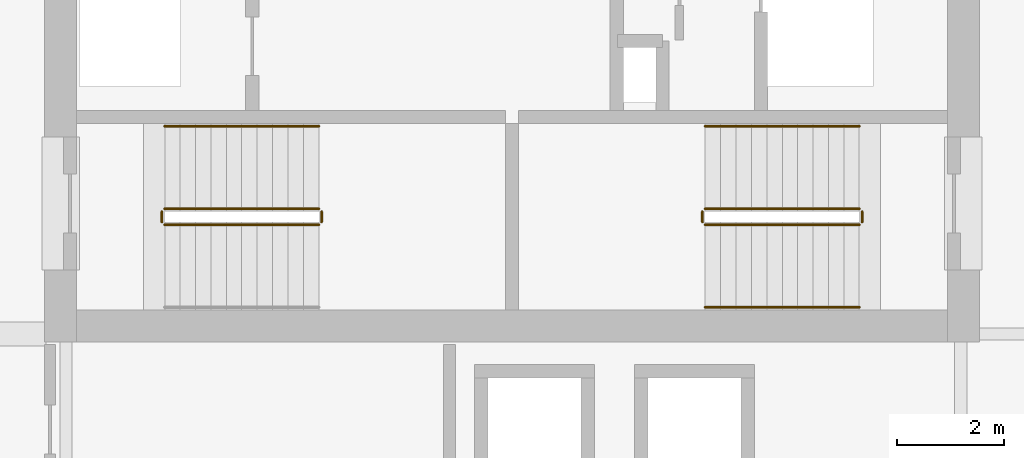
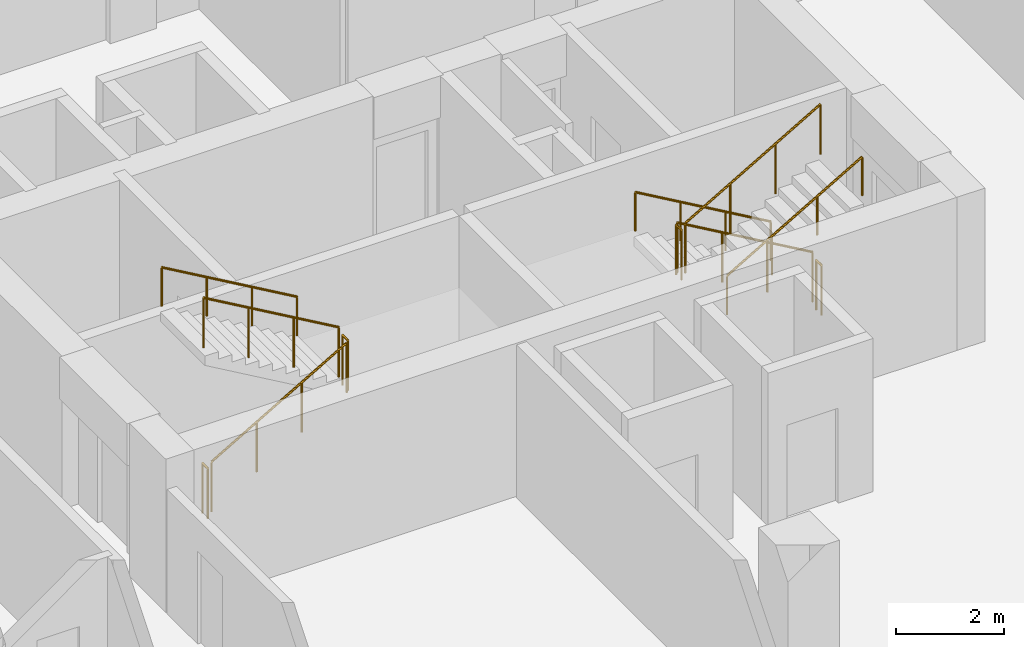
# One storey, part 12 of 14: 11 railings.
"""IFC4 building model written with IfcOpenShell, lengths in metres."""

from ifc_helpers import new_model, si_unit, direction, frame, origin, origin_2d, place, context, subcontext, project, spatial, circle, extrude, material, type_object, element, save


model = new_model("IFC4")

# Units and contexts
model_context = context("Model", 3, precision=1e-05, world=origin(), true_north=direction((0.0, 1.0)))
body_context = subcontext(model_context, "Body", "Model", "MODEL_VIEW")
ifc_project = project(units=[si_unit("LENGTHUNIT", "METRE"), si_unit("AREAUNIT", "SQUARE_METRE"), si_unit("VOLUMEUNIT", "CUBIC_METRE"), si_unit("PLANEANGLEUNIT", "RADIAN"), si_unit("MASSUNIT", "GRAM", prefix="KILO")], contexts=[model_context])

# Site, building, storey
site_placement = place(None, origin())
site = spatial("IfcSite", under=ifc_project, at=site_placement, CompositionType="ELEMENT")
building_placement = place(site_placement, origin())
building = spatial("IfcBuilding", under=site, at=building_placement, Name="Koriwani Terraces Tower", CompositionType="ELEMENT")
storey_placement = place(building_placement, frame((0.0, 0.0, 208.699951171875)))
storey = spatial("IfcBuildingStorey", under=building, at=storey_placement, Name="L51", CompositionType="ELEMENT", Elevation=208.699951171875)

# Railings
ifc_material = material(Name="Steel ASTM A572 Grade 50", Category="steel")
railing_type_1 = type_object("IfcRailingType", Name="GUARD_STAIR_WELL_1120", PredefinedType="GUARDRAIL", material=ifc_material)
railing_1_placement = place(storey_placement, frame((43.85009765625, 18.85009765625, 0.168212890625)))
element("IfcRailing", 1, at=railing_1_placement, inside=storey, type_object=railing_type_1, Name="L51 ST-E1 stair guard 1", PredefinedType="GUARDRAIL", context=body_context, shape_type="SweptSolid", body=[
    extrude(circle(Radius=0.02392578125, at=origin_2d()), frame((0.0, 0.0, 1.1259765625), z_axis=(0.865038774852, 0.0, 0.501705010941), x_axis=(0.0, 1.0, 0.0)), (0.0, 0.0, 1.0), 3.352294921875),
    extrude(circle(Radius=0.02099609375, at=origin_2d()), origin(), (0.0, 0.0, 1.0), 1.101806640625),
    extrude(circle(Radius=0.02099609375, at=origin_2d()), frame((0.966552734375, 0.0, 0.560546875)), (0.0, 0.0, 1.0), 1.101806640625),
    extrude(circle(Radius=0.02099609375, at=origin_2d()), frame((1.933349609375, 0.0, 1.121337890625)), (0.0, 0.0, 1.0), 1.101806640625),
    extrude(circle(Radius=0.02099609375, at=origin_2d()), frame((2.89990234375, 0.0, 1.681884765625)), (0.0, 0.0, 1.0), 1.101806640625),
])
railing_2_placement = place(storey_placement, frame((46.800048828125, 18.89990234375, 1.85009765625)))
element("IfcRailing", 2, at=railing_2_placement, inside=storey, type_object=railing_type_1, Name="L51 ST-E1 stair guard 2", PredefinedType="GUARDRAIL", context=body_context, shape_type="SweptSolid", body=[
    extrude(circle(Radius=0.02392578125, at=origin_2d()), frame((0.0, 0.0, 1.1259765625), z_axis=(0.0, 1.0, 0.0), x_axis=(-1.0, 0.0, 0.0)), (0.0, 0.0, 1.0), 0.2001953125),
    extrude(circle(Radius=0.02099609375, at=origin_2d()), origin(), (0.0, 0.0, 1.0), 1.101806640625),
    extrude(circle(Radius=0.02099609375, at=origin_2d()), frame((0.0, 0.2001953125, 0.0)), (0.0, 0.0, 1.0), 1.101806640625),
])
railing_3_placement = place(storey_placement, frame((46.75, 19.14990234375, 2.018310546875)))
element("IfcRailing", 3, at=railing_3_placement, inside=storey, type_object=railing_type_1, Name="L51 ST-E1 stair guard 3", PredefinedType="GUARDRAIL", context=body_context, shape_type="SweptSolid", body=[
    extrude(circle(Radius=0.02392578125, at=origin_2d()), frame((0.0, 0.0, 1.1259765625), z_axis=(-0.86507038078, 0.0, 0.501650512107), x_axis=(0.0, -1.0, 0.0)), (0.0, 0.0, 1.0), 3.352294921875),
    extrude(circle(Radius=0.02099609375, at=origin_2d()), origin(), (0.0, 0.0, 1.0), 1.101806640625),
    extrude(circle(Radius=0.02099609375, at=origin_2d()), frame((-0.966552734375, 0.0, 0.560546875)), (0.0, 0.0, 1.0), 1.101806640625),
    extrude(circle(Radius=0.02099609375, at=origin_2d()), frame((-1.933349609375, 0.0, 1.12109375)), (0.0, 0.0, 1.0), 1.101806640625),
    extrude(circle(Radius=0.02099609375, at=origin_2d()), frame((-2.89990234375, 0.0, 1.681640625)), (0.0, 0.0, 1.0), 1.101806640625),
])
railing_4_placement = place(storey_placement, frame((43.800048828125, 18.89990234375, 0.0)))
element("IfcRailing", 4, at=railing_4_placement, inside=storey, type_object=railing_type_1, Name="L51 ST-E1 stair guard 4", PredefinedType="GUARDRAIL", context=body_context, shape_type="SweptSolid", body=[
    extrude(circle(Radius=0.02392578125, at=origin_2d()), frame((0.0, 0.0, 1.1259765625), z_axis=(0.0, 1.0, 0.0), x_axis=(-1.0, 0.0, 0.0)), (0.0, 0.0, 1.0), 0.2001953125),
    extrude(circle(Radius=0.02099609375, at=origin_2d()), origin(), (0.0, 0.0, 1.0), 1.101806640625),
    extrude(circle(Radius=0.02099609375, at=origin_2d()), frame((0.0, 0.2001953125, 0.0)), (0.0, 0.0, 1.0), 1.101806640625),
])
railing_5_placement = place(storey_placement, frame((56.89990234375, 19.14990234375, 0.168212890625)))
element("IfcRailing", 5, at=railing_5_placement, inside=storey, type_object=railing_type_1, Name="L51 ST-E2 stair guard 1", PredefinedType="GUARDRAIL", context=body_context, shape_type="SweptSolid", body=[
    extrude(circle(Radius=0.02392578125, at=origin_2d()), frame((0.0, 0.0, 1.1259765625), z_axis=(-0.865038774852, 0.0, 0.501705010941), x_axis=(0.0, -1.0, 0.0)), (0.0, 0.0, 1.0), 3.352294921875),
    extrude(circle(Radius=0.02099609375, at=origin_2d()), origin(), (0.0, 0.0, 1.0), 1.101806640625),
    extrude(circle(Radius=0.02099609375, at=origin_2d()), frame((-0.966552734375, 0.0, 0.560546875)), (0.0, 0.0, 1.0), 1.101806640625),
    extrude(circle(Radius=0.02099609375, at=origin_2d()), frame((-1.933349609375, 0.0, 1.121337890625)), (0.0, 0.0, 1.0), 1.101806640625),
    extrude(circle(Radius=0.02099609375, at=origin_2d()), frame((-2.89990234375, 0.0, 1.681884765625)), (0.0, 0.0, 1.0), 1.101806640625),
])
railing_6_placement = place(storey_placement, frame((53.949951171875, 19.10009765625, 1.85009765625)))
element("IfcRailing", 6, at=railing_6_placement, inside=storey, type_object=railing_type_1, Name="L51 ST-E2 stair guard 2", PredefinedType="GUARDRAIL", context=body_context, shape_type="SweptSolid", body=[
    extrude(circle(Radius=0.02392578125, at=origin_2d()), frame((0.0, 0.0, 1.1259765625), z_axis=(0.0, -1.0, 0.0), x_axis=(1.0, 0.0, 0.0)), (0.0, 0.0, 1.0), 0.2001953125),
    extrude(circle(Radius=0.02099609375, at=origin_2d()), origin(), (0.0, 0.0, 1.0), 1.101806640625),
    extrude(circle(Radius=0.02099609375, at=origin_2d()), frame((0.0, -0.2001953125, 0.0)), (0.0, 0.0, 1.0), 1.101806640625),
])
railing_7_placement = place(storey_placement, frame((54.0, 18.85009765625, 2.018310546875)))
element("IfcRailing", 7, at=railing_7_placement, inside=storey, type_object=railing_type_1, Name="L51 ST-E2 stair guard 3", PredefinedType="GUARDRAIL", context=body_context, shape_type="SweptSolid", body=[
    extrude(circle(Radius=0.02392578125, at=origin_2d()), frame((0.0, 0.0, 1.1259765625), z_axis=(0.86507038078, 0.0, 0.501650512107), x_axis=(0.0, 1.0, 0.0)), (0.0, 0.0, 1.0), 3.352294921875),
    extrude(circle(Radius=0.02099609375, at=origin_2d()), origin(), (0.0, 0.0, 1.0), 1.101806640625),
    extrude(circle(Radius=0.02099609375, at=origin_2d()), frame((0.966552734375, 0.0, 0.560546875)), (0.0, 0.0, 1.0), 1.101806640625),
    extrude(circle(Radius=0.02099609375, at=origin_2d()), frame((1.933349609375, 0.0, 1.12109375)), (0.0, 0.0, 1.0), 1.101806640625),
    extrude(circle(Radius=0.02099609375, at=origin_2d()), frame((2.89990234375, 0.0, 1.681640625)), (0.0, 0.0, 1.0), 1.101806640625),
])
railing_8_placement = place(storey_placement, frame((56.949951171875, 19.10009765625, 0.0)))
element("IfcRailing", 8, at=railing_8_placement, inside=storey, type_object=railing_type_1, Name="L51 ST-E2 stair guard 4", PredefinedType="GUARDRAIL", context=body_context, shape_type="SweptSolid", body=[
    extrude(circle(Radius=0.02392578125, at=origin_2d()), frame((0.0, 0.0, 1.1259765625), z_axis=(0.0, -1.0, 0.0), x_axis=(1.0, 0.0, 0.0)), (0.0, 0.0, 1.0), 0.2001953125),
    extrude(circle(Radius=0.02099609375, at=origin_2d()), origin(), (0.0, 0.0, 1.0), 1.101806640625),
    extrude(circle(Radius=0.02099609375, at=origin_2d()), frame((0.0, -0.2001953125, 0.0)), (0.0, 0.0, 1.0), 1.101806640625),
])
railing_type_2 = type_object("IfcRailingType", Name="HANDRAIL_STAIR_920", PredefinedType="HANDRAIL", material=ifc_material)
railing_9_placement = place(storey_placement, frame((46.75, 20.699951171875, 2.018310546875)))
element("IfcRailing", 9, at=railing_9_placement, inside=storey, type_object=railing_type_2, Name="L51 ST-E1 stair handrail 2", PredefinedType="HANDRAIL", context=body_context, shape_type="SweptSolid", body=[
    extrude(circle(Radius=0.02392578125, at=origin_2d()), frame((0.0, 0.0, 0.8759765625), z_axis=(-0.86507038078, 0.0, 0.501650512107), x_axis=(0.0, -1.0, 0.0)), (0.0, 0.0, 1.0), 3.352294921875),
    extrude(circle(Radius=0.02099609375, at=origin_2d()), origin(), (0.0, 0.0, 1.0), 0.851806640625),
    extrude(circle(Radius=0.02099609375, at=origin_2d()), frame((-0.966552734375, 0.0, 0.560546875)), (0.0, 0.0, 1.0), 0.851806640625),
    extrude(circle(Radius=0.02099609375, at=origin_2d()), frame((-1.933349609375, 0.0, 1.12109375)), (0.0, 0.0, 1.0), 0.851806640625),
    extrude(circle(Radius=0.02099609375, at=origin_2d()), frame((-2.89990234375, 0.0, 1.681640625)), (0.0, 0.0, 1.0), 0.851806640625),
])
railing_10_placement = place(storey_placement, frame((56.89990234375, 20.699951171875, 0.168212890625)))
element("IfcRailing", 10, at=railing_10_placement, inside=storey, type_object=railing_type_2, Name="L51 ST-E2 stair handrail 1", PredefinedType="HANDRAIL", context=body_context, shape_type="SweptSolid", body=[
    extrude(circle(Radius=0.02392578125, at=origin_2d()), frame((0.0, 0.0, 0.8759765625), z_axis=(-0.865038774852, 0.0, 0.501705010941), x_axis=(0.0, -1.0, 0.0)), (0.0, 0.0, 1.0), 3.352294921875),
    extrude(circle(Radius=0.02099609375, at=origin_2d()), origin(), (0.0, 0.0, 1.0), 0.851806640625),
    extrude(circle(Radius=0.02099609375, at=origin_2d()), frame((-0.966552734375, 0.0, 0.560546875)), (0.0, 0.0, 1.0), 0.851806640625),
    extrude(circle(Radius=0.02099609375, at=origin_2d()), frame((-1.933349609375, 0.0, 1.121337890625)), (0.0, 0.0, 1.0), 0.851806640625),
    extrude(circle(Radius=0.02099609375, at=origin_2d()), frame((-2.89990234375, 0.0, 1.681884765625)), (0.0, 0.0, 1.0), 0.851806640625),
])
railing_11_placement = place(storey_placement, frame((54.0, 17.300048828125, 2.018310546875)))
element("IfcRailing", 11, at=railing_11_placement, inside=storey, type_object=railing_type_2, Name="L51 ST-E2 stair handrail 2", PredefinedType="HANDRAIL", context=body_context, shape_type="SweptSolid", body=[
    extrude(circle(Radius=0.02392578125, at=origin_2d()), frame((0.0, 0.0, 0.8759765625), z_axis=(0.86507038078, 0.0, 0.501650512107), x_axis=(0.0, 1.0, 0.0)), (0.0, 0.0, 1.0), 3.352294921875),
    extrude(circle(Radius=0.02099609375, at=origin_2d()), origin(), (0.0, 0.0, 1.0), 0.851806640625),
    extrude(circle(Radius=0.02099609375, at=origin_2d()), frame((0.966552734375, 0.0, 0.560546875)), (0.0, 0.0, 1.0), 0.851806640625),
    extrude(circle(Radius=0.02099609375, at=origin_2d()), frame((1.933349609375, 0.0, 1.12109375)), (0.0, 0.0, 1.0), 0.851806640625),
    extrude(circle(Radius=0.02099609375, at=origin_2d()), frame((2.89990234375, 0.0, 1.681640625)), (0.0, 0.0, 1.0), 0.851806640625),
])

save(model, "model.ifc")
